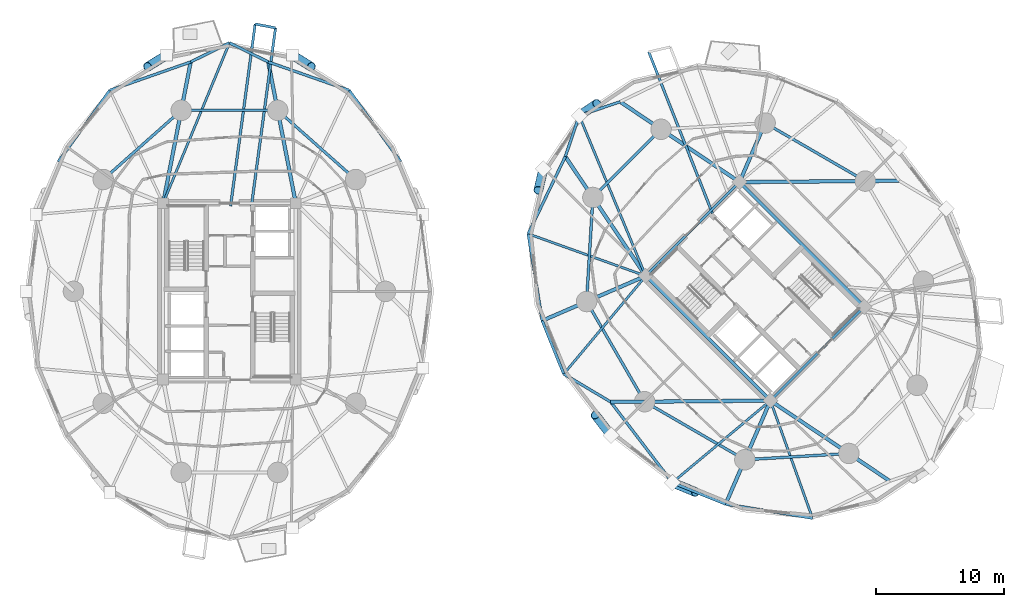
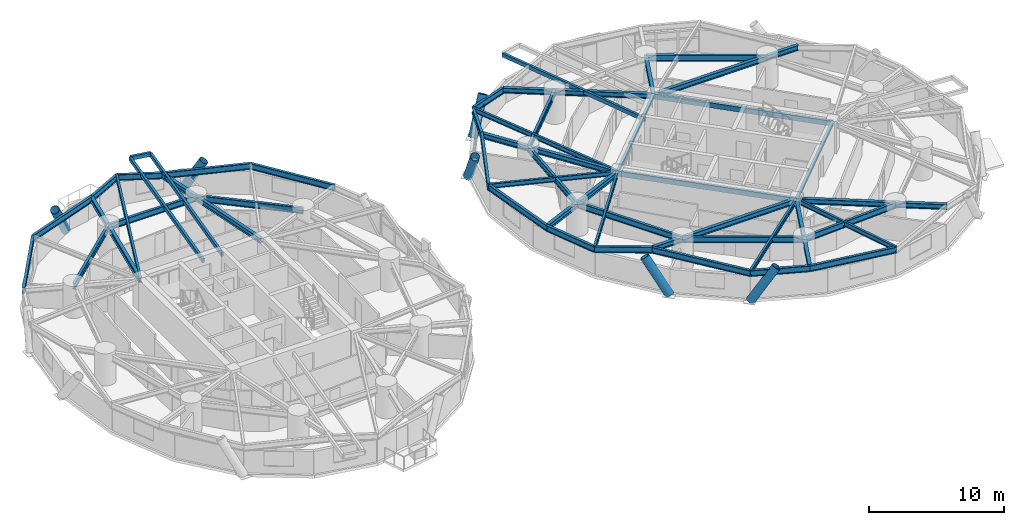
# One storey, part 5 of 18: 49 beams, 6 members.
"""IFC4 building model written with IfcOpenShell, lengths in metres."""

from ifc_helpers import new_model, si_unit, direction, frame, origin, origin_2d, place, context, subcontext, project, spatial, hollow_rectangle, hollow_circle, i_section, extrude, material, material_profile, profile_set, type_object, element, save


model = new_model("IFC4")

# Units and contexts
model_context = context("Model", 3, precision=1e-05, world=origin(), true_north=direction((0.0, 1.0)))
body_context = subcontext(model_context, "Body", "Model", "MODEL_VIEW")
ifc_project = project(units=[si_unit("LENGTHUNIT", "METRE"), si_unit("AREAUNIT", "SQUARE_METRE"), si_unit("VOLUMEUNIT", "CUBIC_METRE"), si_unit("PLANEANGLEUNIT", "RADIAN"), si_unit("MASSUNIT", "GRAM", prefix="KILO")], contexts=[model_context])

# Site, building, storey
site_placement = place(None, origin())
site = spatial("IfcSite", under=ifc_project, at=site_placement, CompositionType="ELEMENT")
building_placement = place(site_placement, origin())
building = spatial("IfcBuilding", under=site, at=building_placement, Name="Cununo Teusaquillo Station Towers", CompositionType="ELEMENT")
storey_placement = place(building_placement, frame((0.0, 0.0, 56.919921875)))
storey = spatial("IfcBuildingStorey", under=building, at=storey_placement, Name="L17", CompositionType="ELEMENT", Elevation=56.919921875)

# Beams
ifc_material_1 = material(Name="Steel EN 10025-2 S355J2", Category="steel")
ifc_material_profile_1 = material_profile(ifc_material_1, hollow_rectangle(XDim=0.199951171875, YDim=0.35009765625, WallThickness=0.013916015625, at=origin_2d()), Name="RHS 350x200x14")
ifc_profile_set_1 = profile_set([ifc_material_profile_1], Name="Steel EN 10025-2 S355J2")
beam_type_1 = type_object("IfcBeamType", Name="BM-BAL-CANT", PredefinedType="BEAM", material=ifc_profile_set_1)
beam_1_placement = place(storey_placement, frame((18.21240234375, 31.14990234375, 2.47509765625), z_axis=(0.133936830088, 0.990989871566, 0.0), x_axis=(-0.990989871566, 0.133936830088, 0.0)))
element("IfcBeam", 1, at=beam_1_placement, inside=storey, type_object=beam_type_1, Name="L17 Tower A Balcony Cantilever Bracket 1A", PredefinedType="BEAM", context=body_context, shape_type="SweptSolid", body=[
    extrude(hollow_rectangle(XDim=0.199951171875, YDim=0.35009765625, WallThickness=0.013916015625, at=origin_2d()), origin(), (0.0, 0.0, 1.0), 14.031982421875),
])
beam_2_placement = place(storey_placement, frame((16.584716796875, 31.14990234375, 2.47509765625), z_axis=(0.133924221821, 0.990991575549, 0.0), x_axis=(-0.990991575549, 0.133924221821, 0.0)))
element("IfcBeam", 2, at=beam_2_placement, inside=storey, type_object=beam_type_1, Name="L17 Tower A Balcony Cantilever Bracket 1B", PredefinedType="BEAM", context=body_context, shape_type="SweptSolid", body=[
    extrude(hollow_rectangle(XDim=0.199951171875, YDim=0.35009765625, WallThickness=0.013916015625, at=origin_2d()), origin(), (0.0, 0.0, 1.0), 14.34130859375),
])
beam_3_placement = place(storey_placement, frame((54.18359375, 30.587890625, 2.47509765625), z_axis=(-0.367068832548, 0.930193782054, 0.0), x_axis=(-0.930193782054, -0.367068832548, 0.0)))
element("IfcBeam", 3, at=beam_3_placement, inside=storey, type_object=beam_type_1, Name="L17 Tower B Balcony Cantilever Bracket 1B", PredefinedType="BEAM", context=body_context, shape_type="SweptSolid", body=[
    extrude(hollow_rectangle(XDim=0.199951171875, YDim=0.35009765625, WallThickness=0.013916015625, at=origin_2d()), origin(), (0.0, 0.0, 1.0), 13.541015625),
])
ifc_material_2 = material(Name="Steel EN 10025-2 S355J2", Category="steel")
ifc_material_profile_2 = material_profile(ifc_material_2, hollow_rectangle(XDim=0.25, YDim=0.449951171875, WallThickness=0.01611328125, at=origin_2d()), Name="RHS 450x250x16")
ifc_profile_set_2 = profile_set([ifc_material_profile_2], Name="Steel EN 10025-2 S355J2")
beam_type_2 = type_object("IfcBeamType", Name="BM-COUP-1", PredefinedType="USERDEFINED", material=ifc_profile_set_2)
for number, where, z_axis, x_axis, name in (
    (4, (58.70556640625, 15.975830078125, 2.425048828125), (-0.707106781187, 0.707106781187, 0.0), (-0.707106781187, -0.707106781187, 0.0), "L17 Tower B Core Beam 1"),
    (5, (66.024169921875, 23.29443359375, 2.425048828125), (-0.707106781187, 0.707106781187, 0.0), (-0.707106781187, -0.707106781187, 0.0), "L17 Tower B Core Beam 2"),
):
    element("IfcBeam", number, at=place(storey_placement, frame(where, z_axis=z_axis, x_axis=x_axis)), inside=storey, type_object=beam_type_2, Name=name, ObjectType="COUPLING BEAM", PredefinedType="USERDEFINED", context=body_context, shape_type="SweptSolid", body=[
        extrude(hollow_rectangle(XDim=0.25, YDim=0.449951171875, WallThickness=0.01611328125, at=origin_2d()), origin(), (0.0, 0.0, 1.0), 13.760009765625),
    ])
ifc_material_3 = material(Name="Steel ASTM A572 Grade 50", Category="steel")
ifc_material_profile_3 = material_profile(ifc_material_3, i_section(OverallWidth=0.180908203125, OverallDepth=0.4169921875, WebThickness=0.010986328125, FlangeThickness=0.018310546875, FilletRadius=0.012939453125, at=origin_2d()), Name="W16X57")
ifc_profile_set_3 = profile_set([ifc_material_profile_3], Name="Steel ASTM A572 Grade 50")
beam_type_3 = type_object("IfcBeamType", Name="BM-JOIST-1", PredefinedType="JOIST", material=ifc_profile_set_3)
for number, where, z_axis, x_axis, name in (
    (6, (11.324951171875, 31.3798828125, 2.441650390625), (0.382256753081, 0.924056153447, 0.0), (-0.924056153447, 0.382256753081, 0.0), "L17 Tower A Radial Spandrel Joist V05"),
    (7, (48.975830078125, 25.70556640625, 2.441650390625), (-0.383107724927, 0.923703670612, 0.0), (-0.923703670612, -0.383107724927, 0.0), "L17 Tower B Radial Spandrel Joist V05"),
):
    element("IfcBeam", number, at=place(storey_placement, frame(where, z_axis=z_axis, x_axis=x_axis)), inside=storey, type_object=beam_type_3, Name=name, PredefinedType="JOIST", context=body_context, shape_type="SweptSolid", body=[
        extrude(i_section(OverallWidth=0.180908203125, OverallDepth=0.4169921875, WebThickness=0.010986328125, FlangeThickness=0.018310546875, FilletRadius=0.012939453125, at=origin_2d()), origin(), (0.0, 0.0, 1.0), 13.5380859375),
    ])
beam_4_placement = place(storey_placement, frame((48.975830078125, 25.70556640625, 2.441650390625), z_axis=(-0.941404588136, 0.337279411522, 0.0), x_axis=(-0.337279411522, -0.941404588136, 0.0)))
element("IfcBeam", 8, at=beam_4_placement, inside=storey, type_object=beam_type_3, Name="L17 Tower B Radial Spandrel Joist V07", PredefinedType="JOIST", context=body_context, shape_type="SweptSolid", body=[
    extrude(i_section(OverallWidth=0.180908203125, OverallDepth=0.4169921875, WebThickness=0.010986328125, FlangeThickness=0.018310546875, FilletRadius=0.012939453125, at=origin_2d()), origin(), (0.0, 0.0, 1.0), 9.740234375),
])
for number, where, z_axis, x_axis, name in (
    (9, (48.975830078125, 25.70556640625, 2.441650390625), (-0.641315728701, -0.767277092139, 0.0), (0.767277092139, -0.641315728701, 0.0), "L17 Tower B Radial Spandrel Joist V09"),
    (10, (58.70556640625, 15.975830078125, 2.441650390625), (-0.767277092139, -0.641315728701, 0.0), (0.641315728701, -0.767277092139, 0.0), "L17 Tower B Radial Spandrel Joist V11"),
):
    element("IfcBeam", number, at=place(storey_placement, frame(where, z_axis=z_axis, x_axis=x_axis)), inside=storey, type_object=beam_type_3, Name=name, PredefinedType="JOIST", context=body_context, shape_type="SweptSolid", body=[
        extrude(i_section(OverallWidth=0.180908203125, OverallDepth=0.4169921875, WebThickness=0.010986328125, FlangeThickness=0.018310546875, FilletRadius=0.012939453125, at=origin_2d()), origin(), (0.0, 0.0, 1.0), 9.97021484375),
    ])
beam_5_placement = place(storey_placement, frame((58.70556640625, 15.975830078125, 2.441650390625), z_axis=(0.337279411522, -0.941404588136, 0.0), x_axis=(0.941404588136, 0.337279411522, 0.0)))
element("IfcBeam", 11, at=beam_5_placement, inside=storey, type_object=beam_type_3, Name="L17 Tower B Radial Spandrel Joist V13", PredefinedType="JOIST", context=body_context, shape_type="SweptSolid", body=[
    extrude(i_section(OverallWidth=0.180908203125, OverallDepth=0.4169921875, WebThickness=0.010986328125, FlangeThickness=0.018310546875, FilletRadius=0.012939453125, at=origin_2d()), origin(), (0.0, 0.0, 1.0), 9.740234375),
])
ifc_material_4 = material(Name="Steel ASTM A572 Grade 50", Category="steel")
ifc_material_profile_4 = material_profile(ifc_material_4, i_section(OverallWidth=0.2041015625, OverallDepth=0.35009765625, WebThickness=0.008544921875, FlangeThickness=0.01513671875, FilletRadius=0.011962890625, at=origin_2d()), Name="W14X48")
ifc_profile_set_4 = profile_set([ifc_material_profile_4], Name="Steel ASTM A572 Grade 50")
beam_type_4 = type_object("IfcBeamType", Name="BM-LINTEL-1", PredefinedType="LINTEL", material=ifc_profile_set_4)
for number, where, z_axis, x_axis, name in (
    (12, (58.70556640625, 15.975830078125, 2.47509765625), (0.707106781187, 0.707106781187, 0.0), (-0.707106781187, 0.707106781187, 0.0), "L17 Tower B Core Beam 3"),
    (13, (48.975830078125, 25.70556640625, 2.47509765625), (0.707106781187, 0.707106781187, 0.0), (-0.707106781187, 0.707106781187, 0.0), "L17 Tower B Core Beam 4"),
):
    element("IfcBeam", number, at=place(storey_placement, frame(where, z_axis=z_axis, x_axis=x_axis)), inside=storey, type_object=beam_type_4, Name=name, PredefinedType="LINTEL", context=body_context, shape_type="SweptSolid", body=[
        extrude(i_section(OverallWidth=0.2041015625, OverallDepth=0.35009765625, WebThickness=0.008544921875, FlangeThickness=0.01513671875, FilletRadius=0.011962890625, at=origin_2d()), origin(), (0.0, 0.0, 1.0), 10.35009765625),
    ])
ifc_material_5 = material(Name="Steel ASTM A572 Grade 50", Category="steel")
ifc_material_profile_5 = material_profile(ifc_material_5, i_section(OverallWidth=0.280029296875, OverallDepth=0.462890625, WebThickness=0.0107421875, FlangeThickness=0.017333984375, FilletRadius=0.013916015625, at=origin_2d()), Name="W18X76")
ifc_profile_set_5 = profile_set([ifc_material_profile_5], Name="Steel ASTM A572 Grade 50")
beam_type_5 = type_object("IfcBeamType", Name="BM-RAD-G1", PredefinedType="BEAM", material=ifc_profile_set_5)
for number, where, z_axis, x_axis, name in (
    (14, (21.675048828125, 31.3798828125, 2.41845703125), (-0.191552755713, 0.981482318628, 0.0), (-0.981482318628, -0.191552755713, 0.0), "L17 Tower A Continuous Overhanging Radial Girder 03"),
    (15, (11.324951171875, 31.3798828125, 2.41845703125), (0.191552755713, 0.981482318628, 0.0), (-0.981482318628, 0.191552755713, 0.0), "L17 Tower A Continuous Overhanging Radial Girder 04"),
):
    element("IfcBeam", number, at=place(storey_placement, frame(where, z_axis=z_axis, x_axis=x_axis)), inside=storey, type_object=beam_type_5, Name=name, PredefinedType="BEAM", context=body_context, shape_type="SweptSolid", body=[
        extrude(i_section(OverallWidth=0.280029296875, OverallDepth=0.462890625, WebThickness=0.0107421875, FlangeThickness=0.017333984375, FilletRadius=0.013916015625, at=origin_2d()), origin(), (0.0, 0.0, 1.0), 11.22998046875),
    ])
beam_6_placement = place(storey_placement, frame((56.29443359375, 33.024169921875, 2.41845703125), z_axis=(0.999964334348, 0.008445710917, 0.0), x_axis=(-0.008445710917, 0.999964334348, 0.0)))
element("IfcBeam", 16, at=beam_6_placement, inside=storey, type_object=beam_type_5, Name="L17 Tower B Continuous Overhanging Radial Girder 01", PredefinedType="BEAM", context=body_context, shape_type="SweptSolid", body=[
    extrude(i_section(OverallWidth=0.280029296875, OverallDepth=0.462890625, WebThickness=0.0107421875, FlangeThickness=0.017333984375, FilletRadius=0.013916015625, at=origin_2d()), origin(), (0.0, 0.0, 1.0), 12.458984375),
])
beam_7_placement = place(storey_placement, frame((56.29443359375, 33.024169921875, 2.41845703125), z_axis=(0.397346986387, 0.917668443616, 0.0), x_axis=(-0.917668443616, 0.397346986387, 0.0)))
element("IfcBeam", 17, at=beam_7_placement, inside=storey, type_object=beam_type_5, Name="L17 Tower B Radial Girder 02A", PredefinedType="BEAM", context=body_context, shape_type="SweptSolid", body=[
    extrude(i_section(OverallWidth=0.280029296875, OverallDepth=0.462890625, WebThickness=0.0107421875, FlangeThickness=0.017333984375, FilletRadius=0.013916015625, at=origin_2d()), origin(), (0.0, 0.0, 1.0), 5.02490234375),
])
for number, where, z_axis, x_axis, name in (
    (18, (56.29443359375, 33.024169921875, 2.41845703125), (-0.82945583878, 0.558572297481, 0.0), (-0.558572297481, -0.82945583878, 0.0), "L17 Tower B Continuous Overhanging Radial Girder 03"),
    (19, (48.975830078125, 25.70556640625, 2.41845703125), (-0.558572297481, 0.82945583878, 0.0), (-0.82945583878, -0.558572297481, 0.0), "L17 Tower B Continuous Overhanging Radial Girder 04"),
):
    element("IfcBeam", number, at=place(storey_placement, frame(where, z_axis=z_axis, x_axis=x_axis)), inside=storey, type_object=beam_type_5, Name=name, PredefinedType="BEAM", context=body_context, shape_type="SweptSolid", body=[
        extrude(i_section(OverallWidth=0.280029296875, OverallDepth=0.462890625, WebThickness=0.0107421875, FlangeThickness=0.017333984375, FilletRadius=0.013916015625, at=origin_2d()), origin(), (0.0, 0.0, 1.0), 11.22998046875),
    ])
beam_8_placement = place(storey_placement, frame((48.975830078125, 25.70556640625, 2.41845703125), z_axis=(-0.917660203996, -0.397366015157, 0.0), x_axis=(0.397366015157, -0.917660203996, 0.0)))
element("IfcBeam", 20, at=beam_8_placement, inside=storey, type_object=beam_type_5, Name="L17 Tower B Continuous Overhanging Radial Girder 05", PredefinedType="BEAM", context=body_context, shape_type="SweptSolid", body=[
    extrude(i_section(OverallWidth=0.280029296875, OverallDepth=0.462890625, WebThickness=0.0107421875, FlangeThickness=0.017333984375, FilletRadius=0.013916015625, at=origin_2d()), origin(), (0.0, 0.0, 1.0), 8.798095703125),
])
beam_9_placement = place(storey_placement, frame((58.70556640625, 15.975830078125, 2.41845703125), z_axis=(-0.999964431382, -0.008434214327, 0.0), x_axis=(0.008434214327, -0.999964431382, 0.0)))
element("IfcBeam", 21, at=beam_9_placement, inside=storey, type_object=beam_type_5, Name="L17 Tower B Radial Girder 06A", PredefinedType="BEAM", context=body_context, shape_type="SweptSolid", body=[
    extrude(i_section(OverallWidth=0.280029296875, OverallDepth=0.462890625, WebThickness=0.0107421875, FlangeThickness=0.017333984375, FilletRadius=0.013916015625, at=origin_2d()), origin(), (0.0, 0.0, 1.0), 9.812744140625),
])
beam_10_placement = place(storey_placement, frame((48.89306640625, 15.89306640625, 2.41845703125), z_axis=(-0.999963973349, -0.008488345225, 0.0), x_axis=(0.008488345225, -0.999963973349, 0.0)))
element("IfcBeam", 22, at=beam_10_placement, inside=storey, type_object=beam_type_5, Name="L17 Tower B Perimeter Overhang Girder 06B", PredefinedType="BEAM", context=body_context, shape_type="SweptSolid", body=[
    extrude(i_section(OverallWidth=0.280029296875, OverallDepth=0.462890625, WebThickness=0.0107421875, FlangeThickness=0.017333984375, FilletRadius=0.013916015625, at=origin_2d()), origin(), (0.0, 0.0, 1.0), 2.64599609375),
])
beam_11_placement = place(storey_placement, frame((58.70556640625, 15.975830078125, 2.41845703125), z_axis=(-0.397366015157, -0.917660203996, 0.0), x_axis=(0.917660203996, -0.397366015157, 0.0)))
element("IfcBeam", 23, at=beam_11_placement, inside=storey, type_object=beam_type_5, Name="L17 Tower B Continuous Overhanging Radial Girder 07", PredefinedType="BEAM", context=body_context, shape_type="SweptSolid", body=[
    extrude(i_section(OverallWidth=0.280029296875, OverallDepth=0.462890625, WebThickness=0.0107421875, FlangeThickness=0.017333984375, FilletRadius=0.013916015625, at=origin_2d()), origin(), (0.0, 0.0, 1.0), 8.798095703125),
])
beam_12_placement = place(storey_placement, frame((58.70556640625, 15.975830078125, 2.41845703125), z_axis=(0.82945583878, -0.558572297481, 0.0), x_axis=(0.558572297481, 0.82945583878, 0.0)))
element("IfcBeam", 24, at=beam_12_placement, inside=storey, type_object=beam_type_5, Name="L17 Tower B Continuous Overhanging Radial Girder 08", PredefinedType="BEAM", context=body_context, shape_type="SweptSolid", body=[
    extrude(i_section(OverallWidth=0.280029296875, OverallDepth=0.462890625, WebThickness=0.0107421875, FlangeThickness=0.017333984375, FilletRadius=0.013916015625, at=origin_2d()), origin(), (0.0, 0.0, 1.0), 11.22998046875),
])
ifc_material_6 = material(Name="Steel ASTM A572 Grade 50", Category="steel")
ifc_material_profile_6 = material_profile(ifc_material_6, i_section(OverallWidth=0.214111328125, OverallDepth=0.549072265625, WebThickness=0.0146484375, FlangeThickness=0.023681640625, FilletRadius=0.014892578125, at=origin_2d()), Name="W21X93")
ifc_profile_set_6 = profile_set([ifc_material_profile_6], Name="Steel ASTM A572 Grade 50")
beam_type_6 = type_object("IfcBeamType", Name="BM-RING-Z1", PredefinedType="SPANDREL", material=ifc_profile_set_6)
beam_13_placement = place(storey_placement, frame((26.347412109375, 33.228515625, 2.37548828125), z_axis=(-0.74832120039, 0.66333655187, 0.0), x_axis=(-0.66333655187, -0.74832120039, 0.0)))
element("IfcBeam", 25, at=beam_13_placement, inside=storey, type_object=beam_type_6, Name="L17 Tower A Structural Column Ring Girder 02", PredefinedType="SPANDREL", context=body_context, shape_type="SweptSolid", body=[
    extrude(i_section(OverallWidth=0.214111328125, OverallDepth=0.549072265625, WebThickness=0.0146484375, FlangeThickness=0.023681640625, FilletRadius=0.014892578125, at=origin_2d()), origin(), (0.0, 0.0, 1.0), 8.1328125),
])
beam_14_placement = place(storey_placement, frame((20.261474609375, 38.623291015625, 2.37548828125), z_axis=(-1.0, 0.0, 0.0), x_axis=(0.0, -1.0, 0.0)))
element("IfcBeam", 26, at=beam_14_placement, inside=storey, type_object=beam_type_6, Name="L17 Tower A Structural Column Ring Girder 03", PredefinedType="SPANDREL", context=body_context, shape_type="SweptSolid", body=[
    extrude(i_section(OverallWidth=0.214111328125, OverallDepth=0.549072265625, WebThickness=0.0146484375, FlangeThickness=0.023681640625, FilletRadius=0.014892578125, at=origin_2d()), origin(), (0.0, 0.0, 1.0), 7.52294921875),
])
beam_15_placement = place(storey_placement, frame((12.738525390625, 38.623291015625, 2.37548828125), z_axis=(-0.74832120039, -0.66333655187, 0.0), x_axis=(0.66333655187, -0.74832120039, 0.0)))
element("IfcBeam", 27, at=beam_15_placement, inside=storey, type_object=beam_type_6, Name="L17 Tower A Structural Column Ring Girder 04", PredefinedType="SPANDREL", context=body_context, shape_type="SweptSolid", body=[
    extrude(i_section(OverallWidth=0.214111328125, OverallDepth=0.549072265625, WebThickness=0.0146484375, FlangeThickness=0.023681640625, FilletRadius=0.014892578125, at=origin_2d()), origin(), (0.0, 0.0, 1.0), 8.1328125),
])
beam_16_placement = place(storey_placement, frame((29.856201171875, 34.61669921875, 2.37548828125), z_axis=(-0.585268642749, 0.810839451319, 0.0), x_axis=(-0.810839451319, -0.585268642749, 0.0)))
element("IfcBeam", 28, at=beam_16_placement, inside=storey, type_object=beam_type_6, Name="L17 Tower A Spandrel Ring Beam 03", PredefinedType="SPANDREL", context=body_context, shape_type="SweptSolid", body=[
    extrude(i_section(OverallWidth=0.214111328125, OverallDepth=0.549072265625, WebThickness=0.0146484375, FlangeThickness=0.023681640625, FilletRadius=0.014892578125, at=origin_2d()), origin(), (0.0, 0.0, 1.0), 6.86962890625),
])
beam_17_placement = place(storey_placement, frame((25.835693359375, 40.186767578125, 2.37548828125), z_axis=(-0.943579776012, 0.33114529485, 0.0), x_axis=(-0.33114529485, -0.943579776012, 0.0)))
element("IfcBeam", 29, at=beam_17_placement, inside=storey, type_object=beam_type_6, Name="L17 Tower A Spandrel Ring Beam 04", PredefinedType="SPANDREL", context=body_context, shape_type="SweptSolid", body=[
    extrude(i_section(OverallWidth=0.214111328125, OverallDepth=0.549072265625, WebThickness=0.0146484375, FlangeThickness=0.023681640625, FilletRadius=0.014892578125, at=origin_2d()), origin(), (0.0, 0.0, 1.0), 6.689208984375),
])
for number, where, z_axis, x_axis, name in (
    (30, (19.52392578125, 42.40185546875, 2.37548828125), (-0.8972488299, 0.441525239645, 0.0), (-0.441525239645, -0.8972488299, 0.0), "L17 Tower A Spandrel Ring Beam 05"),
    (31, (16.5, 43.889892578125, 2.37548828125), (-0.8972488299, -0.441525239645, 0.0), (0.441525239645, -0.8972488299, 0.0), "L17 Tower A Spandrel Ring Beam 06"),
):
    element("IfcBeam", number, at=place(storey_placement, frame(where, z_axis=z_axis, x_axis=x_axis)), inside=storey, type_object=beam_type_6, Name=name, PredefinedType="SPANDREL", context=body_context, shape_type="SweptSolid", body=[
        extrude(i_section(OverallWidth=0.214111328125, OverallDepth=0.549072265625, WebThickness=0.0146484375, FlangeThickness=0.023681640625, FilletRadius=0.014892578125, at=origin_2d()), origin(), (0.0, 0.0, 1.0), 3.3701171875),
    ])
beam_18_placement = place(storey_placement, frame((13.47607421875, 42.40185546875, 2.37548828125), z_axis=(-0.943579776012, -0.33114529485, 0.0), x_axis=(0.33114529485, -0.943579776012, 0.0)))
element("IfcBeam", 32, at=beam_18_placement, inside=storey, type_object=beam_type_6, Name="L17 Tower A Spandrel Ring Beam 07", PredefinedType="SPANDREL", context=body_context, shape_type="SweptSolid", body=[
    extrude(i_section(OverallWidth=0.214111328125, OverallDepth=0.549072265625, WebThickness=0.0146484375, FlangeThickness=0.023681640625, FilletRadius=0.014892578125, at=origin_2d()), origin(), (0.0, 0.0, 1.0), 6.689208984375),
])
beam_19_placement = place(storey_placement, frame((7.164306640625, 40.186767578125, 2.37548828125), z_axis=(-0.585268642749, -0.810839451319, 0.0), x_axis=(0.810839451319, -0.585268642749, 0.0)))
element("IfcBeam", 33, at=beam_19_placement, inside=storey, type_object=beam_type_6, Name="L17 Tower A Spandrel Ring Beam 08", PredefinedType="SPANDREL", context=body_context, shape_type="SweptSolid", body=[
    extrude(i_section(OverallWidth=0.214111328125, OverallDepth=0.549072265625, WebThickness=0.0146484375, FlangeThickness=0.023681640625, FilletRadius=0.014892578125, at=origin_2d()), origin(), (0.0, 0.0, 1.0), 6.86962890625),
])
beam_20_placement = place(storey_placement, frame((66.10693359375, 33.10693359375, 2.37548828125), z_axis=(-0.865267103202, 0.501311121078, 0.0), x_axis=(-0.501311121078, -0.865267103202, 0.0)))
element("IfcBeam", 34, at=beam_20_placement, inside=storey, type_object=beam_type_6, Name="L17 Tower B Structural Column Ring Girder 01", PredefinedType="SPANDREL", context=body_context, shape_type="SweptSolid", body=[
    extrude(i_section(OverallWidth=0.214111328125, OverallDepth=0.549072265625, WebThickness=0.0146484375, FlangeThickness=0.023681640625, FilletRadius=0.014892578125, at=origin_2d()), origin(), (0.0, 0.0, 1.0), 9.032958984375),
])
beam_21_placement = place(storey_placement, frame((50.173095703125, 37.146240234375, 2.37548828125), z_axis=(-0.707106781187, -0.707106781187, 0.0), x_axis=(0.707106781187, -0.707106781187, 0.0)))
element("IfcBeam", 35, at=beam_21_placement, inside=storey, type_object=beam_type_6, Name="L17 Tower B Structural Column Ring Girder 03", PredefinedType="SPANDREL", context=body_context, shape_type="SweptSolid", body=[
    extrude(i_section(OverallWidth=0.214111328125, OverallDepth=0.549072265625, WebThickness=0.0146484375, FlangeThickness=0.023681640625, FilletRadius=0.014892578125, at=origin_2d()), origin(), (0.0, 0.0, 1.0), 7.522705078125),
])
beam_22_placement = place(storey_placement, frame((44.853759765625, 31.826904296875, 2.37548828125), z_axis=(-0.06012979176, -0.998190567048, 0.0), x_axis=(0.998190567048, -0.06012979176, 0.0)))
element("IfcBeam", 36, at=beam_22_placement, inside=storey, type_object=beam_type_6, Name="L17 Tower B Structural Column Ring Girder 04", PredefinedType="SPANDREL", context=body_context, shape_type="SweptSolid", body=[
    extrude(i_section(OverallWidth=0.214111328125, OverallDepth=0.549072265625, WebThickness=0.0146484375, FlangeThickness=0.023681640625, FilletRadius=0.014892578125, at=origin_2d()), origin(), (0.0, 0.0, 1.0), 8.132568359375),
])
for number, where, z_axis, x_axis, name in (
    (37, (44.36474609375, 23.708984375, 2.37548828125), (0.501311121078, -0.865267103202, 0.0), (0.865267103202, 0.501311121078, 0.0), "L17 Tower B Structural Column Ring Girder 05"),
    (38, (48.89306640625, 15.89306640625, 2.37548828125), (0.865267103202, -0.501311121078, 0.0), (0.501311121078, 0.865267103202, 0.0), "L17 Tower B Structural Column Ring Girder 06"),
):
    element("IfcBeam", number, at=place(storey_placement, frame(where, z_axis=z_axis, x_axis=x_axis)), inside=storey, type_object=beam_type_6, Name=name, PredefinedType="SPANDREL", context=body_context, shape_type="SweptSolid", body=[
        extrude(i_section(OverallWidth=0.214111328125, OverallDepth=0.549072265625, WebThickness=0.0146484375, FlangeThickness=0.023681640625, FilletRadius=0.014892578125, at=origin_2d()), origin(), (0.0, 0.0, 1.0), 9.032958984375),
    ])
beam_23_placement = place(storey_placement, frame((56.708984375, 11.36474609375, 2.37548828125), z_axis=(0.998190567048, 0.06012979176, 0.0), x_axis=(-0.06012979176, 0.998190567048, 0.0)))
element("IfcBeam", 39, at=beam_23_placement, inside=storey, type_object=beam_type_6, Name="L17 Tower B Structural Column Ring Girder 07", PredefinedType="SPANDREL", context=body_context, shape_type="SweptSolid", body=[
    extrude(i_section(OverallWidth=0.214111328125, OverallDepth=0.549072265625, WebThickness=0.0146484375, FlangeThickness=0.023681640625, FilletRadius=0.014892578125, at=origin_2d()), origin(), (0.0, 0.0, 1.0), 8.132568359375),
])
for number, where, z_axis, x_axis, name in (
    (40, (46.979736328125, 39.296875, 2.37548828125), (-0.946642852865, -0.322284515794, 0.0), (0.322284515794, -0.946642852865, 0.0), "L17 Tower B Spandrel Ring Beam 05"),
    (41, (43.789306640625, 38.210693359375, 2.37548828125), (-0.322284515794, -0.946642852865, 0.0), (0.946642852865, -0.322284515794, 0.0), "L17 Tower B Spandrel Ring Beam 06"),
):
    element("IfcBeam", number, at=place(storey_placement, frame(where, z_axis=z_axis, x_axis=x_axis)), inside=storey, type_object=beam_type_6, Name=name, PredefinedType="SPANDREL", context=body_context, shape_type="SweptSolid", body=[
        extrude(i_section(OverallWidth=0.214111328125, OverallDepth=0.549072265625, WebThickness=0.0146484375, FlangeThickness=0.023681640625, FilletRadius=0.014892578125, at=origin_2d()), origin(), (0.0, 0.0, 1.0), 3.370361328125),
    ])
beam_24_placement = place(storey_placement, frame((42.703125, 35.020263671875, 2.37548828125), z_axis=(-0.433040723491, -0.901374357189, 0.0), x_axis=(0.901374357189, -0.433040723491, 0.0)))
element("IfcBeam", 42, at=beam_24_placement, inside=storey, type_object=beam_type_6, Name="L17 Tower B Spandrel Ring Beam 07", PredefinedType="SPANDREL", context=body_context, shape_type="SweptSolid", body=[
    extrude(i_section(OverallWidth=0.214111328125, OverallDepth=0.549072265625, WebThickness=0.0146484375, FlangeThickness=0.023681640625, FilletRadius=0.014892578125, at=origin_2d()), origin(), (0.0, 0.0, 1.0), 6.689208984375),
])
beam_25_placement = place(storey_placement, frame((39.806396484375, 28.99072265625, 2.37548828125), z_axis=(0.15950955411, -0.987196384793, 0.0), x_axis=(0.987196384793, 0.15950955411, 0.0)))
element("IfcBeam", 43, at=beam_25_placement, inside=storey, type_object=beam_type_6, Name="L17 Tower B Spandrel Ring Beam 08", PredefinedType="SPANDREL", context=body_context, shape_type="SweptSolid", body=[
    extrude(i_section(OverallWidth=0.214111328125, OverallDepth=0.549072265625, WebThickness=0.0146484375, FlangeThickness=0.023681640625, FilletRadius=0.014892578125, at=origin_2d()), origin(), (0.0, 0.0, 1.0), 6.869140625),
])
beam_26_placement = place(storey_placement, frame((40.902099609375, 22.20947265625, 2.37548828125), z_axis=(0.374882843411, -0.927072194447, 0.0), x_axis=(0.927072194447, 0.374882843411, 0.0)))
element("IfcBeam", 44, at=beam_26_placement, inside=storey, type_object=beam_type_6, Name="L17 Tower B Spandrel Ring Beam 09", PredefinedType="SPANDREL", context=body_context, shape_type="SweptSolid", body=[
    extrude(i_section(OverallWidth=0.214111328125, OverallDepth=0.549072265625, WebThickness=0.0146484375, FlangeThickness=0.023681640625, FilletRadius=0.014892578125, at=origin_2d()), origin(), (0.0, 0.0, 1.0), 4.48046875),
])
beam_27_placement = place(storey_placement, frame((42.581787109375, 18.0556640625, 2.37548828125), z_axis=(0.858948426011, -0.512062107027, 0.0), x_axis=(0.512062107027, 0.858948426011, 0.0)))
element("IfcBeam", 45, at=beam_27_placement, inside=storey, type_object=beam_type_6, Name="L17 Tower B Spandrel Ring Beam 10", PredefinedType="SPANDREL", context=body_context, shape_type="SweptSolid", body=[
    extrude(i_section(OverallWidth=0.214111328125, OverallDepth=0.549072265625, WebThickness=0.0146484375, FlangeThickness=0.023681640625, FilletRadius=0.014892578125, at=origin_2d()), origin(), (0.0, 0.0, 1.0), 4.26708984375),
])
beam_28_placement = place(storey_placement, frame((46.2470703125, 15.87060546875, 2.37548828125), z_axis=(0.607410042696, -0.794388469222, 0.0), x_axis=(0.794388469222, 0.607410042696, 0.0)))
element("IfcBeam", 46, at=beam_28_placement, inside=storey, type_object=beam_type_6, Name="L17 Tower B Spandrel Ring Beam 11", PredefinedType="SPANDREL", context=body_context, shape_type="SweptSolid", body=[
    extrude(i_section(OverallWidth=0.214111328125, OverallDepth=0.549072265625, WebThickness=0.0146484375, FlangeThickness=0.023681640625, FilletRadius=0.014892578125, at=origin_2d()), origin(), (0.0, 0.0, 1.0), 7.91650390625),
])
beam_29_placement = place(storey_placement, frame((51.0556640625, 9.581787109375, 2.37548828125), z_axis=(0.927072194447, -0.374882843411, 0.0), x_axis=(0.374882843411, 0.927072194447, 0.0)))
element("IfcBeam", 47, at=beam_29_placement, inside=storey, type_object=beam_type_6, Name="L17 Tower B Spandrel Ring Beam 12", PredefinedType="SPANDREL", context=body_context, shape_type="SweptSolid", body=[
    extrude(i_section(OverallWidth=0.214111328125, OverallDepth=0.549072265625, WebThickness=0.0146484375, FlangeThickness=0.023681640625, FilletRadius=0.014892578125, at=origin_2d()), origin(), (0.0, 0.0, 1.0), 4.48046875),
])
beam_30_placement = place(storey_placement, frame((55.20947265625, 7.902099609375, 2.37548828125), z_axis=(0.987196384793, -0.15950955411, 0.0), x_axis=(0.15950955411, 0.987196384793, 0.0)))
element("IfcBeam", 48, at=beam_30_placement, inside=storey, type_object=beam_type_6, Name="L17 Tower B Spandrel Ring Beam 13", PredefinedType="SPANDREL", context=body_context, shape_type="SweptSolid", body=[
    extrude(i_section(OverallWidth=0.214111328125, OverallDepth=0.549072265625, WebThickness=0.0146484375, FlangeThickness=0.023681640625, FilletRadius=0.014892578125, at=origin_2d()), origin(), (0.0, 0.0, 1.0), 6.869140625),
])
ifc_material_7 = material(Name="Steel EN 10025-2 S355J2", Category="steel")
ifc_material_profile_7 = material_profile(ifc_material_7, hollow_rectangle(XDim=0.199951171875, YDim=0.35009765625, WallThickness=0.013916015625, at=origin_2d()), Name="RHS 350x200x14")
ifc_profile_set_7 = profile_set([ifc_material_profile_7], Name="Steel EN 10025-2 S355J2")
beam_type_7 = type_object("IfcBeamType", Name="BM-STAIR-TRIM", PredefinedType="BEAM", material=ifc_profile_set_7)
beam_31_placement = place(storey_placement, frame((20.091796875, 45.055419921875, 2.525146484375), z_axis=(-0.981827104253, 0.189777599714, 0.0), x_axis=(-0.189777599714, -0.981827104253, 0.0)))
element("IfcBeam", 49, at=beam_31_placement, inside=storey, type_object=beam_type_7, Name="L17 Tower A Balcony Edge Trimmer Beam 1", PredefinedType="BEAM", context=body_context, shape_type="SweptSolid", body=[
    extrude(hollow_rectangle(XDim=0.199951171875, YDim=0.35009765625, WallThickness=0.013916015625, at=origin_2d()), origin(), (0.0, 0.0, 1.0), 1.61572265625),
])

# Members
ifc_material_8 = material(Name="Steel EN 10025-2 S355J2", Category="steel")
ifc_material_profile_8 = material_profile(ifc_material_8, hollow_circle(Radius=0.360107421875, WallThickness=0.028076171875, at=origin_2d()), Name="CHS 720x28")
ifc_profile_set_8 = profile_set([ifc_material_profile_8], Name="Steel EN 10025-2 S355J2")
member_type = type_object("IfcMemberType", Name="MBR-DIAG-Z1", PredefinedType="BRACE", material=ifc_profile_set_8)
for number, where, z_axis, x_axis, name in (
    (50, (21.408203125, 42.94091796875, -0.139892578125), (0.435419540414, -0.270831674435, 0.858522002018), (0.528166860975, 0.849140604946, 0.0), "L17 Tower A Folded-Zigzag Diagrid Tube C03"),
    (51, (11.591796875, 42.94091796875, -0.139892578125), (-0.435419540414, -0.270831674435, 0.858522002018), (0.528166860975, -0.849140604946, 0.0), "L17 Tower A Folded-Zigzag Diagrid Tube C06"),
):
    element("IfcMember", number, at=place(storey_placement, frame(where, z_axis=z_axis, x_axis=x_axis)), inside=storey, type_object=member_type, Name=name, PredefinedType="BRACE", context=body_context, shape_type="SweptSolid", body=[
        extrude(hollow_circle(Radius=0.360107421875, WallThickness=0.028076171875, at=origin_2d()), origin(), (0.0, 0.0, 1.0), 3.389404296875),
    ])
member_1_placement = place(storey_placement, frame((43.789306640625, 38.210693359375, -0.139892578125), z_axis=(0.411654111311, 0.278343414846, 0.867793659836), x_axis=(-0.560131970087, 0.828403389712, 0.0)))
element("IfcMember", 52, at=member_1_placement, inside=storey, type_object=member_type, Name="L17 Tower B Folded-Zigzag Diagrid Tube C04", PredefinedType="BRACE", context=body_context, shape_type="SweptSolid", body=[
    extrude(hollow_circle(Radius=0.360107421875, WallThickness=0.028076171875, at=origin_2d()), origin(), (0.0, 0.0, 1.0), 3.353271484375),
])
member_2_placement = place(storey_placement, frame((40.98974609375, 34.069091796875, -0.139892578125), z_axis=(-0.116400503539, -0.499384090986, 0.858525743613), x_axis=(0.973894027021, -0.227003136833, 0.0)))
element("IfcMember", 53, at=member_2_placement, inside=storey, type_object=member_type, Name="L17 Tower B Folded-Zigzag Diagrid Tube C06", PredefinedType="BRACE", context=body_context, shape_type="SweptSolid", body=[
    extrude(hollow_circle(Radius=0.360107421875, WallThickness=0.028076171875, at=origin_2d()), origin(), (0.0, 0.0, 1.0), 3.389404296875),
])
member_3_placement = place(storey_placement, frame((46.26904296875, 13.26904296875, -0.139892578125), z_axis=(-0.347288106018, 0.450839843629, 0.82227392444), x_axis=(-0.792209205335, -0.610249600559, 0.0)))
element("IfcMember", 54, at=member_3_placement, inside=storey, type_object=member_type, Name="L17 Tower B Folded-Zigzag Diagrid Tube C09", PredefinedType="BRACE", context=body_context, shape_type="SweptSolid", body=[
    extrude(hollow_circle(Radius=0.360107421875, WallThickness=0.028076171875, at=origin_2d()), origin(), (0.0, 0.0, 1.0), 3.538818359375),
])
member_4_placement = place(storey_placement, frame((51.0556640625, 9.581787109375, -0.139892578125), z_axis=(0.515297512564, -0.211804277744, 0.830426048167), x_axis=(0.380171067947, 0.924916190309, 0.0)))
element("IfcMember", 55, at=member_4_placement, inside=storey, type_object=member_type, Name="L17 Tower B Folded-Zigzag Diagrid Tube C11", PredefinedType="BRACE", context=body_context, shape_type="SweptSolid", body=[
    extrude(hollow_circle(Radius=0.360107421875, WallThickness=0.028076171875, at=origin_2d()), origin(), (0.0, 0.0, 1.0), 3.504150390625),
])

save(model, "model.ifc")
